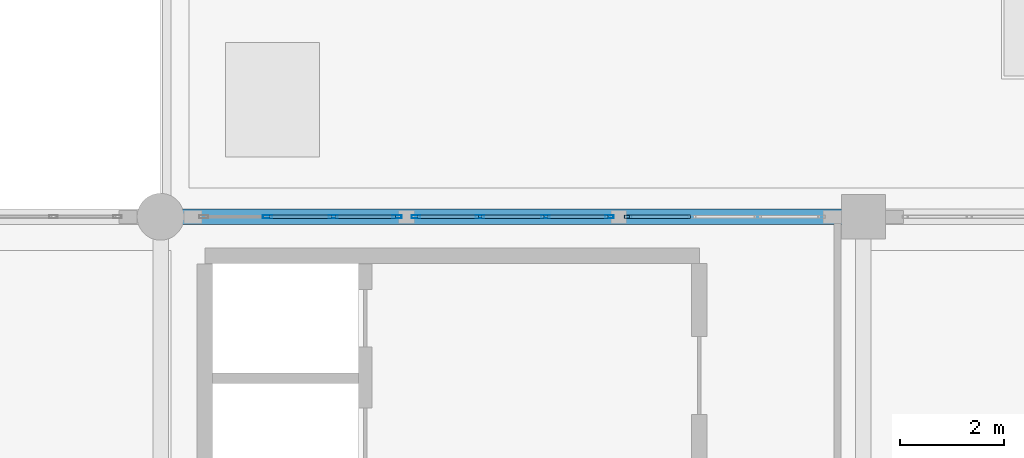
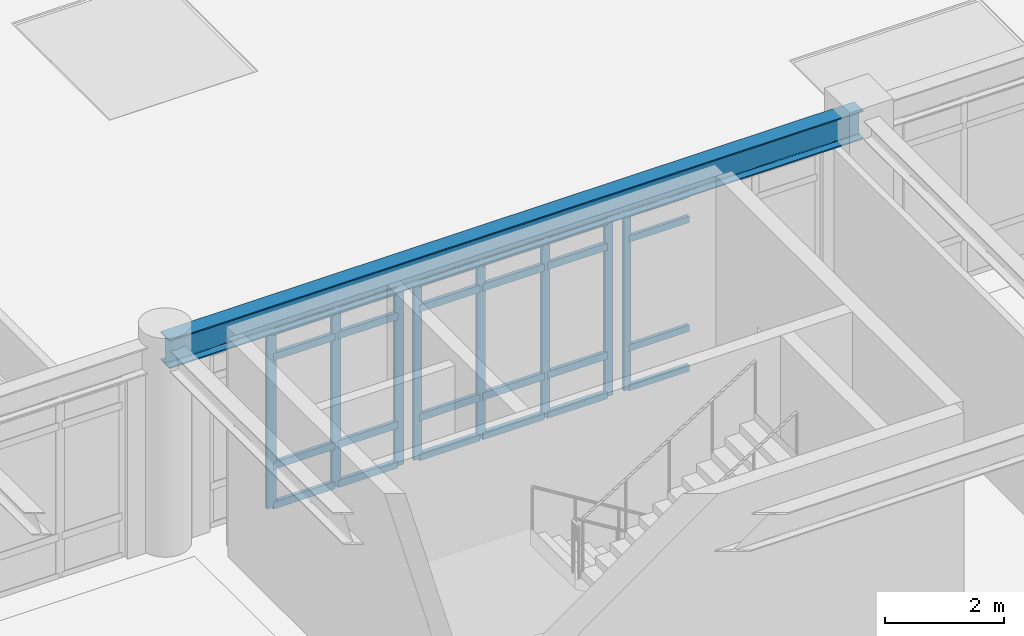
# One storey, part 18 of 55: 32 members, 1 beam, 3 elements without a shape of their own.
"""IFC4 building model written with IfcOpenShell, lengths in metres."""

from ifc_helpers import new_model, si_unit, direction, frame, origin, origin_2d, place, context, subcontext, project, spatial, hollow_rectangle, i_section, extrude, material, layer, layer_set, material_profile, profile_set, type_object, element, aggregate, save


model = new_model("IFC4")

# Units and contexts
model_context = context("Model", 3, precision=1e-05, world=origin(), true_north=direction((0.0, 1.0)))
body_context = subcontext(model_context, "Body", "Model", "MODEL_VIEW")
ifc_project = project(units=[si_unit("LENGTHUNIT", "METRE"), si_unit("AREAUNIT", "SQUARE_METRE"), si_unit("VOLUMEUNIT", "CUBIC_METRE"), si_unit("PLANEANGLEUNIT", "RADIAN"), si_unit("MASSUNIT", "GRAM", prefix="KILO")], contexts=[model_context])

# Site, building, storey
site_placement = place(None, origin())
site = spatial("IfcSite", under=ifc_project, at=site_placement, CompositionType="ELEMENT")
building_placement = place(site_placement, origin())
building = spatial("IfcBuilding", under=site, at=building_placement, Name="Fikremerkos Civic Library", CompositionType="ELEMENT")
storey_placement = place(building_placement, frame((0.0, 0.0, 18.89990234375)))
storey = spatial("IfcBuildingStorey", under=building, at=storey_placement, Name="L04", CompositionType="ELEMENT", Elevation=18.89990234375)

# Curtain wall, members
ifc_material_1 = material(Name="Anodized aluminium Frame", Category="aluminium")
ifc_layer_1 = layer(ifc_material_1, 0.159912109375, Name="Anodized aluminium Frame")
ifc_layer_set_1 = layer_set([ifc_layer_1], Name="Anodized aluminium Frame")
curtain_wall_type_1 = type_object("IfcCurtainWallType", Name="Unitised curtain wall CW-01 3600x3600", PredefinedType="USERDEFINED", material=ifc_layer_set_1)
curtain_wall_1_placement = place(storey_placement, origin())
curtain_wall_1 = element("IfcCurtainWall", 1, at=curtain_wall_1_placement, inside=storey, type_object=curtain_wall_type_1, Name="Unitised curtain wall CW-01 L04 #235", ObjectType="UNITISED CURTAIN WALL", PredefinedType="USERDEFINED")
ifc_material_profile_1 = material_profile(ifc_material_1, hollow_rectangle(XDim=0.06494140625, YDim=0.179931640625, WallThickness=0.00439453125, at=origin_2d()), Name="ALU 180x65x4.5")
ifc_profile_set_1 = profile_set([ifc_material_profile_1], Name="Anodized aluminium Frame")
member_type_1 = type_object("IfcMemberType", Name="Curtain mullion CWM-01 ALU 180x65x4.5", PredefinedType="MULLION", material=ifc_profile_set_1)
member_1_placement = place(storey_placement, frame((48.2568359375, 31.199951171875, 0.0), z_axis=(0.0, 0.0, 1.0), x_axis=(0.0, 1.0, 0.0)))
member_1 = element("IfcMember", 2, at=member_1_placement, type_object=member_type_1, Name="CW-01 mullion 2", PredefinedType="MULLION", context=body_context, shape_type="SweptSolid", body=[
    extrude(hollow_rectangle(XDim=0.06494140625, YDim=0.179931640625, WallThickness=0.00439453125, at=origin_2d()), origin(), (0.0, 0.0, 1.0), 3.64013671875),
])
member_2_placement = place(storey_placement, frame((49.515625, 31.199951171875, 0.0), z_axis=(0.0, 0.0, 1.0), x_axis=(0.0, 1.0, 0.0)))
member_2 = element("IfcMember", 3, at=member_2_placement, type_object=member_type_1, Name="CW-01 mullion 3", PredefinedType="MULLION", context=body_context, shape_type="SweptSolid", body=[
    extrude(hollow_rectangle(XDim=0.06494140625, YDim=0.179931640625, WallThickness=0.00439453125, at=origin_2d()), origin(), (0.0, 0.0, 1.0), 3.64013671875),
])
member_3_placement = place(storey_placement, frame((50.741943359375, 31.199951171875, 0.0), z_axis=(0.0, 0.0, 1.0), x_axis=(0.0, 1.0, 0.0)))
member_3 = element("IfcMember", 4, at=member_3_placement, type_object=member_type_1, Name="CW-01 mullion 4", PredefinedType="MULLION", context=body_context, shape_type="SweptSolid", body=[
    extrude(hollow_rectangle(XDim=0.06494140625, YDim=0.179931640625, WallThickness=0.00439453125, at=origin_2d()), origin(), (0.0, 0.0, 1.0), 3.64013671875),
])

ifc_layer_2 = layer(ifc_material_1, 0.159912109375, Name="Anodized aluminium Frame")
ifc_layer_set_2 = layer_set([ifc_layer_2], Name="Anodized aluminium Frame")
curtain_wall_type_2 = type_object("IfcCurtainWallType", Name="Unitised curtain wall CW-02 3900x3600", PredefinedType="USERDEFINED", material=ifc_layer_set_2)
curtain_wall_2_placement = place(storey_placement, origin())
curtain_wall_2 = element("IfcCurtainWall", 5, at=curtain_wall_2_placement, inside=storey, type_object=curtain_wall_type_2, Name="Unitised curtain wall CW-02 L04 #236", ObjectType="UNITISED CURTAIN WALL", PredefinedType="USERDEFINED")
ifc_material_profile_2 = material_profile(ifc_material_1, hollow_rectangle(XDim=0.06005859375, YDim=0.159912109375, WallThickness=0.00390625, at=origin_2d()), Name="ALU 160x60x4")
ifc_profile_set_2 = profile_set([ifc_material_profile_2], Name="Anodized aluminium Frame")
member_type_2 = type_object("IfcMemberType", Name="Curtain mullion CWM-02 ALU 160x60x4", PredefinedType="MULLION", material=ifc_profile_set_2)
member_4_placement = place(storey_placement, frame((51.104248046875, 31.199951171875, 0.0), z_axis=(0.0, 0.0, 1.0), x_axis=(0.0, 1.0, 0.0)))
member_4 = element("IfcMember", 6, at=member_4_placement, type_object=member_type_2, Name="CW-02 mullion 1", PredefinedType="MULLION", context=body_context, shape_type="SweptSolid", body=[
    extrude(hollow_rectangle(XDim=0.06005859375, YDim=0.159912109375, WallThickness=0.00390625, at=origin_2d()), origin(), (0.0, 0.0, 1.0), 3.64013671875),
])
member_5_placement = place(storey_placement, frame((52.3330078125, 31.199951171875, 0.0), z_axis=(0.0, 0.0, 1.0), x_axis=(0.0, 1.0, 0.0)))
member_5 = element("IfcMember", 7, at=member_5_placement, type_object=member_type_2, Name="CW-02 mullion 2", PredefinedType="MULLION", context=body_context, shape_type="SweptSolid", body=[
    extrude(hollow_rectangle(XDim=0.06005859375, YDim=0.159912109375, WallThickness=0.00390625, at=origin_2d()), origin(), (0.0, 0.0, 1.0), 3.64013671875),
])
member_6_placement = place(storey_placement, frame((53.591796875, 31.199951171875, 0.0), z_axis=(0.0, 0.0, 1.0), x_axis=(0.0, 1.0, 0.0)))
member_6 = element("IfcMember", 8, at=member_6_placement, type_object=member_type_2, Name="CW-02 mullion 3", PredefinedType="MULLION", context=body_context, shape_type="SweptSolid", body=[
    extrude(hollow_rectangle(XDim=0.06005859375, YDim=0.159912109375, WallThickness=0.00390625, at=origin_2d()), origin(), (0.0, 0.0, 1.0), 3.64013671875),
])
member_7_placement = place(storey_placement, frame((54.820556640625, 31.199951171875, 0.0), z_axis=(0.0, 0.0, 1.0), x_axis=(0.0, 1.0, 0.0)))
member_7 = element("IfcMember", 9, at=member_7_placement, type_object=member_type_2, Name="CW-02 mullion 4", PredefinedType="MULLION", context=body_context, shape_type="SweptSolid", body=[
    extrude(hollow_rectangle(XDim=0.06005859375, YDim=0.159912109375, WallThickness=0.00390625, at=origin_2d()), origin(), (0.0, 0.0, 1.0), 3.64013671875),
])

# Curtain wall, member
ifc_layer_3 = layer(ifc_material_1, 0.159912109375, Name="Anodized aluminium Frame")
ifc_layer_set_3 = layer_set([ifc_layer_3], Name="Anodized aluminium Frame")
curtain_wall_type_3 = type_object("IfcCurtainWallType", Name="Unitised curtain wall CW-03 4100x3600", PredefinedType="USERDEFINED", material=ifc_layer_set_3)
curtain_wall_3_placement = place(storey_placement, origin())
curtain_wall_3 = element("IfcCurtainWall", 10, at=curtain_wall_3_placement, inside=storey, type_object=curtain_wall_type_3, Name="Unitised curtain wall CW-03 L04 #237", ObjectType="UNITISED CURTAIN WALL", PredefinedType="USERDEFINED")
ifc_material_profile_3 = material_profile(ifc_material_1, hollow_rectangle(XDim=0.06005859375, YDim=0.139892578125, WallThickness=0.00390625, at=origin_2d()), Name="ALU 140x60x4")
ifc_profile_set_3 = profile_set([ifc_material_profile_3], Name="Anodized aluminium Frame")
member_type_3 = type_object("IfcMemberType", Name="Curtain mullion CWM-03 ALU 140x60x4", PredefinedType="MULLION", material=ifc_profile_set_3)
member_8_placement = place(storey_placement, frame((55.1806640625, 31.199951171875, 0.0), z_axis=(0.0, 0.0, 1.0), x_axis=(0.0, 1.0, 0.0)))
member_8 = element("IfcMember", 11, at=member_8_placement, type_object=member_type_3, Name="CW-03 mullion 1", PredefinedType="MULLION", context=body_context, shape_type="SweptSolid", body=[
    extrude(hollow_rectangle(XDim=0.06005859375, YDim=0.139892578125, WallThickness=0.00390625, at=origin_2d()), origin(), (0.0, 0.0, 1.0), 3.64013671875),
])

# Member
ifc_material_profile_4 = material_profile(ifc_material_1, hollow_rectangle(XDim=0.070068359375, YDim=0.14990234375, WallThickness=0.00439453125, at=origin_2d()), Name="ALU 150x70x4.5")
ifc_profile_set_4 = profile_set([ifc_material_profile_4], Name="Anodized aluminium Frame")
member_type_4 = type_object("IfcMemberType", Name="Curtain transom CWT-01 ALU 150x70x4.5", PredefinedType="USERDEFINED", material=ifc_profile_set_4)
member_9_placement = place(storey_placement, frame((48.289306640625, 31.199951171875, 0.03515625), z_axis=(1.0, 0.0, 0.0), x_axis=(0.0, 1.0, 0.0)))
member_9 = element("IfcMember", 12, at=member_9_placement, type_object=member_type_4, Name="CW-01 transom 2.1", ObjectType="TRANSOM", PredefinedType="USERDEFINED", context=body_context, shape_type="SweptSolid", body=[
    extrude(hollow_rectangle(XDim=0.070068359375, YDim=0.14990234375, WallThickness=0.00439453125, at=origin_2d()), origin(), (0.0, 0.0, 1.0), 1.19384765625),
])

member_10_placement = place(storey_placement, frame((48.289306640625, 31.199951171875, 0.85009765625), z_axis=(1.0, 0.0, 0.0), x_axis=(0.0, 1.0, 0.0)))
member_10 = element("IfcMember", 13, at=member_10_placement, type_object=member_type_4, Name="CW-01 transom 2.2", ObjectType="TRANSOM", PredefinedType="USERDEFINED", context=body_context, shape_type="SweptSolid", body=[
    extrude(hollow_rectangle(XDim=0.070068359375, YDim=0.14990234375, WallThickness=0.00439453125, at=origin_2d()), origin(), (0.0, 0.0, 1.0), 1.19384765625),
])

member_11_placement = place(storey_placement, frame((48.289306640625, 31.199951171875, 3.090087890625), z_axis=(1.0, 0.0, 0.0), x_axis=(0.0, 1.0, 0.0)))
member_11 = element("IfcMember", 14, at=member_11_placement, type_object=member_type_4, Name="CW-01 transom 2.3", ObjectType="TRANSOM", PredefinedType="USERDEFINED", context=body_context, shape_type="SweptSolid", body=[
    extrude(hollow_rectangle(XDim=0.070068359375, YDim=0.14990234375, WallThickness=0.00439453125, at=origin_2d()), origin(), (0.0, 0.0, 1.0), 1.19384765625),
])

member_12_placement = place(storey_placement, frame((48.289306640625, 31.199951171875, 3.60498046875), z_axis=(1.0, 0.0, 0.0), x_axis=(0.0, 1.0, 0.0)))
member_12 = element("IfcMember", 15, at=member_12_placement, type_object=member_type_4, Name="CW-01 transom 2.4", ObjectType="TRANSOM", PredefinedType="USERDEFINED", context=body_context, shape_type="SweptSolid", body=[
    extrude(hollow_rectangle(XDim=0.070068359375, YDim=0.14990234375, WallThickness=0.00439453125, at=origin_2d()), origin(), (0.0, 0.0, 1.0), 1.19384765625),
])

member_13_placement = place(storey_placement, frame((49.548095703125, 31.199951171875, 0.03515625), z_axis=(1.0, 0.0, 0.0), x_axis=(0.0, 1.0, 0.0)))
member_13 = element("IfcMember", 16, at=member_13_placement, type_object=member_type_4, Name="CW-01 transom 3.1", ObjectType="TRANSOM", PredefinedType="USERDEFINED", context=body_context, shape_type="SweptSolid", body=[
    extrude(hollow_rectangle(XDim=0.070068359375, YDim=0.14990234375, WallThickness=0.00439453125, at=origin_2d()), origin(), (0.0, 0.0, 1.0), 1.1611328125),
])

member_14_placement = place(storey_placement, frame((49.548095703125, 31.199951171875, 0.85009765625), z_axis=(1.0, 0.0, 0.0), x_axis=(0.0, 1.0, 0.0)))
member_14 = element("IfcMember", 17, at=member_14_placement, type_object=member_type_4, Name="CW-01 transom 3.2", ObjectType="TRANSOM", PredefinedType="USERDEFINED", context=body_context, shape_type="SweptSolid", body=[
    extrude(hollow_rectangle(XDim=0.070068359375, YDim=0.14990234375, WallThickness=0.00439453125, at=origin_2d()), origin(), (0.0, 0.0, 1.0), 1.1611328125),
])

member_15_placement = place(storey_placement, frame((49.548095703125, 31.199951171875, 3.090087890625), z_axis=(1.0, 0.0, 0.0), x_axis=(0.0, 1.0, 0.0)))
member_15 = element("IfcMember", 18, at=member_15_placement, type_object=member_type_4, Name="CW-01 transom 3.3", ObjectType="TRANSOM", PredefinedType="USERDEFINED", context=body_context, shape_type="SweptSolid", body=[
    extrude(hollow_rectangle(XDim=0.070068359375, YDim=0.14990234375, WallThickness=0.00439453125, at=origin_2d()), origin(), (0.0, 0.0, 1.0), 1.1611328125),
])

member_16_placement = place(storey_placement, frame((49.548095703125, 31.199951171875, 3.60498046875), z_axis=(1.0, 0.0, 0.0), x_axis=(0.0, 1.0, 0.0)))
member_16 = element("IfcMember", 19, at=member_16_placement, type_object=member_type_4, Name="CW-01 transom 3.4", ObjectType="TRANSOM", PredefinedType="USERDEFINED", context=body_context, shape_type="SweptSolid", body=[
    extrude(hollow_rectangle(XDim=0.070068359375, YDim=0.14990234375, WallThickness=0.00439453125, at=origin_2d()), origin(), (0.0, 0.0, 1.0), 1.1611328125),
])

aggregate(curtain_wall_1, [member_1, member_2, member_3, member_9, member_10, member_11, member_12, member_13, member_14, member_15, member_16])

member_17_placement = place(storey_placement, frame((51.13427734375, 31.199951171875, 0.03515625), z_axis=(1.0, 0.0, 0.0), x_axis=(0.0, 1.0, 0.0)))
member_17 = element("IfcMember", 20, at=member_17_placement, type_object=member_type_4, Name="CW-02 transom 1.1", ObjectType="TRANSOM", PredefinedType="USERDEFINED", context=body_context, shape_type="SweptSolid", body=[
    extrude(hollow_rectangle(XDim=0.070068359375, YDim=0.14990234375, WallThickness=0.00439453125, at=origin_2d()), origin(), (0.0, 0.0, 1.0), 1.1689453125),
])

member_18_placement = place(storey_placement, frame((51.13427734375, 31.199951171875, 0.85009765625), z_axis=(1.0, 0.0, 0.0), x_axis=(0.0, 1.0, 0.0)))
member_18 = element("IfcMember", 21, at=member_18_placement, type_object=member_type_4, Name="CW-02 transom 1.2", ObjectType="TRANSOM", PredefinedType="USERDEFINED", context=body_context, shape_type="SweptSolid", body=[
    extrude(hollow_rectangle(XDim=0.070068359375, YDim=0.14990234375, WallThickness=0.00439453125, at=origin_2d()), origin(), (0.0, 0.0, 1.0), 1.1689453125),
])

member_19_placement = place(storey_placement, frame((51.13427734375, 31.199951171875, 3.090087890625), z_axis=(1.0, 0.0, 0.0), x_axis=(0.0, 1.0, 0.0)))
member_19 = element("IfcMember", 22, at=member_19_placement, type_object=member_type_4, Name="CW-02 transom 1.3", ObjectType="TRANSOM", PredefinedType="USERDEFINED", context=body_context, shape_type="SweptSolid", body=[
    extrude(hollow_rectangle(XDim=0.070068359375, YDim=0.14990234375, WallThickness=0.00439453125, at=origin_2d()), origin(), (0.0, 0.0, 1.0), 1.1689453125),
])

member_20_placement = place(storey_placement, frame((51.13427734375, 31.199951171875, 3.60498046875), z_axis=(1.0, 0.0, 0.0), x_axis=(0.0, 1.0, 0.0)))
member_20 = element("IfcMember", 23, at=member_20_placement, type_object=member_type_4, Name="CW-02 transom 1.4", ObjectType="TRANSOM", PredefinedType="USERDEFINED", context=body_context, shape_type="SweptSolid", body=[
    extrude(hollow_rectangle(XDim=0.070068359375, YDim=0.14990234375, WallThickness=0.00439453125, at=origin_2d()), origin(), (0.0, 0.0, 1.0), 1.1689453125),
])

member_21_placement = place(storey_placement, frame((52.363037109375, 31.199951171875, 0.03515625), z_axis=(1.0, 0.0, 0.0), x_axis=(0.0, 1.0, 0.0)))
member_21 = element("IfcMember", 24, at=member_21_placement, type_object=member_type_4, Name="CW-02 transom 2.1", ObjectType="TRANSOM", PredefinedType="USERDEFINED", context=body_context, shape_type="SweptSolid", body=[
    extrude(hollow_rectangle(XDim=0.070068359375, YDim=0.14990234375, WallThickness=0.00439453125, at=origin_2d()), origin(), (0.0, 0.0, 1.0), 1.198974609375),
])

member_22_placement = place(storey_placement, frame((52.363037109375, 31.199951171875, 0.85009765625), z_axis=(1.0, 0.0, 0.0), x_axis=(0.0, 1.0, 0.0)))
member_22 = element("IfcMember", 25, at=member_22_placement, type_object=member_type_4, Name="CW-02 transom 2.2", ObjectType="TRANSOM", PredefinedType="USERDEFINED", context=body_context, shape_type="SweptSolid", body=[
    extrude(hollow_rectangle(XDim=0.070068359375, YDim=0.14990234375, WallThickness=0.00439453125, at=origin_2d()), origin(), (0.0, 0.0, 1.0), 1.198974609375),
])

member_23_placement = place(storey_placement, frame((52.363037109375, 31.199951171875, 3.090087890625), z_axis=(1.0, 0.0, 0.0), x_axis=(0.0, 1.0, 0.0)))
member_23 = element("IfcMember", 26, at=member_23_placement, type_object=member_type_4, Name="CW-02 transom 2.3", ObjectType="TRANSOM", PredefinedType="USERDEFINED", context=body_context, shape_type="SweptSolid", body=[
    extrude(hollow_rectangle(XDim=0.070068359375, YDim=0.14990234375, WallThickness=0.00439453125, at=origin_2d()), origin(), (0.0, 0.0, 1.0), 1.198974609375),
])

member_24_placement = place(storey_placement, frame((52.363037109375, 31.199951171875, 3.60498046875), z_axis=(1.0, 0.0, 0.0), x_axis=(0.0, 1.0, 0.0)))
member_24 = element("IfcMember", 27, at=member_24_placement, type_object=member_type_4, Name="CW-02 transom 2.4", ObjectType="TRANSOM", PredefinedType="USERDEFINED", context=body_context, shape_type="SweptSolid", body=[
    extrude(hollow_rectangle(XDim=0.070068359375, YDim=0.14990234375, WallThickness=0.00439453125, at=origin_2d()), origin(), (0.0, 0.0, 1.0), 1.198974609375),
])

member_25_placement = place(storey_placement, frame((53.621826171875, 31.199951171875, 0.03515625), z_axis=(1.0, 0.0, 0.0), x_axis=(0.0, 1.0, 0.0)))
member_25 = element("IfcMember", 28, at=member_25_placement, type_object=member_type_4, Name="CW-02 transom 3.1", ObjectType="TRANSOM", PredefinedType="USERDEFINED", context=body_context, shape_type="SweptSolid", body=[
    extrude(hollow_rectangle(XDim=0.070068359375, YDim=0.14990234375, WallThickness=0.00439453125, at=origin_2d()), origin(), (0.0, 0.0, 1.0), 1.1689453125),
])

member_26_placement = place(storey_placement, frame((53.621826171875, 31.199951171875, 0.85009765625), z_axis=(1.0, 0.0, 0.0), x_axis=(0.0, 1.0, 0.0)))
member_26 = element("IfcMember", 29, at=member_26_placement, type_object=member_type_4, Name="CW-02 transom 3.2", ObjectType="TRANSOM", PredefinedType="USERDEFINED", context=body_context, shape_type="SweptSolid", body=[
    extrude(hollow_rectangle(XDim=0.070068359375, YDim=0.14990234375, WallThickness=0.00439453125, at=origin_2d()), origin(), (0.0, 0.0, 1.0), 1.1689453125),
])

member_27_placement = place(storey_placement, frame((53.621826171875, 31.199951171875, 3.090087890625), z_axis=(1.0, 0.0, 0.0), x_axis=(0.0, 1.0, 0.0)))
member_27 = element("IfcMember", 30, at=member_27_placement, type_object=member_type_4, Name="CW-02 transom 3.3", ObjectType="TRANSOM", PredefinedType="USERDEFINED", context=body_context, shape_type="SweptSolid", body=[
    extrude(hollow_rectangle(XDim=0.070068359375, YDim=0.14990234375, WallThickness=0.00439453125, at=origin_2d()), origin(), (0.0, 0.0, 1.0), 1.1689453125),
])

member_28_placement = place(storey_placement, frame((53.621826171875, 31.199951171875, 3.60498046875), z_axis=(1.0, 0.0, 0.0), x_axis=(0.0, 1.0, 0.0)))
member_28 = element("IfcMember", 31, at=member_28_placement, type_object=member_type_4, Name="CW-02 transom 3.4", ObjectType="TRANSOM", PredefinedType="USERDEFINED", context=body_context, shape_type="SweptSolid", body=[
    extrude(hollow_rectangle(XDim=0.070068359375, YDim=0.14990234375, WallThickness=0.00439453125, at=origin_2d()), origin(), (0.0, 0.0, 1.0), 1.1689453125),
])

aggregate(curtain_wall_2, [member_4, member_5, member_6, member_7, member_17, member_18, member_19, member_20, member_21, member_22, member_23, member_24, member_25, member_26, member_27, member_28])

ifc_material_profile_5 = material_profile(ifc_material_1, hollow_rectangle(XDim=0.06494140625, YDim=0.135009765625, WallThickness=0.00439453125, at=origin_2d()), Name="ALU 135x65x4.5")
ifc_profile_set_5 = profile_set([ifc_material_profile_5], Name="Anodized aluminium Frame")
member_type_5 = type_object("IfcMemberType", Name="Curtain transom CWT-02 ALU 135x65x4.5", PredefinedType="USERDEFINED", material=ifc_profile_set_5)
member_29_placement = place(storey_placement, frame((55.210693359375, 31.199951171875, 0.03271484375), z_axis=(1.0, 0.0, 0.0), x_axis=(0.0, 1.0, 0.0)))
member_29 = element("IfcMember", 32, at=member_29_placement, type_object=member_type_5, Name="CW-03 transom 1.1", ObjectType="TRANSOM", PredefinedType="USERDEFINED", context=body_context, shape_type="SweptSolid", body=[
    extrude(hollow_rectangle(XDim=0.06494140625, YDim=0.135009765625, WallThickness=0.00439453125, at=origin_2d()), origin(), (0.0, 0.0, 1.0), 1.168701171875),
])

member_30_placement = place(storey_placement, frame((55.210693359375, 31.199951171875, 0.85009765625), z_axis=(1.0, 0.0, 0.0), x_axis=(0.0, 1.0, 0.0)))
member_30 = element("IfcMember", 33, at=member_30_placement, type_object=member_type_5, Name="CW-03 transom 1.2", ObjectType="TRANSOM", PredefinedType="USERDEFINED", context=body_context, shape_type="SweptSolid", body=[
    extrude(hollow_rectangle(XDim=0.06494140625, YDim=0.135009765625, WallThickness=0.00439453125, at=origin_2d()), origin(), (0.0, 0.0, 1.0), 1.168701171875),
])

member_31_placement = place(storey_placement, frame((55.210693359375, 31.199951171875, 3.090087890625), z_axis=(1.0, 0.0, 0.0), x_axis=(0.0, 1.0, 0.0)))
member_31 = element("IfcMember", 34, at=member_31_placement, type_object=member_type_5, Name="CW-03 transom 1.3", ObjectType="TRANSOM", PredefinedType="USERDEFINED", context=body_context, shape_type="SweptSolid", body=[
    extrude(hollow_rectangle(XDim=0.06494140625, YDim=0.135009765625, WallThickness=0.00439453125, at=origin_2d()), origin(), (0.0, 0.0, 1.0), 1.168701171875),
])

member_32_placement = place(storey_placement, frame((55.210693359375, 31.199951171875, 3.607666015625), z_axis=(1.0, 0.0, 0.0), x_axis=(0.0, 1.0, 0.0)))
member_32 = element("IfcMember", 35, at=member_32_placement, type_object=member_type_5, Name="CW-03 transom 1.4", ObjectType="TRANSOM", PredefinedType="USERDEFINED", context=body_context, shape_type="SweptSolid", body=[
    extrude(hollow_rectangle(XDim=0.06494140625, YDim=0.135009765625, WallThickness=0.00439453125, at=origin_2d()), origin(), (0.0, 0.0, 1.0), 1.168701171875),
])

aggregate(curtain_wall_3, [member_8, member_29, member_30, member_31, member_32])

# Beam
ifc_material_2 = material(Name="Steel S355", Category="steel")
ifc_material_profile_6 = material_profile(ifc_material_2, i_section(OverallWidth=0.300048828125, OverallDepth=0.590087890625, WebThickness=0.012939453125, FlangeThickness=0.02490234375, FilletRadius=0.027099609375, at=origin_2d()), Name="HEA 600")
ifc_profile_set_6 = profile_set([ifc_material_profile_6], Name="Steel S355")
beam_type = type_object("IfcBeamType", Name="Primary girder BM-15 HEA 600", PredefinedType="BEAM", material=ifc_profile_set_6)
beam_placement = place(storey_placement, frame((46.199951171875, 31.199951171875, 3.945068359375), z_axis=(1.0, 0.0, 0.0), x_axis=(0.0, 1.0, 0.0)))
element("IfcBeam", 36, at=beam_placement, inside=storey, type_object=beam_type, Name="Primary girder BM-15 L04 grid G", PredefinedType="BEAM", context=body_context, shape_type="SweptSolid", body=[
    extrude(i_section(OverallWidth=0.300048828125, OverallDepth=0.590087890625, WebThickness=0.012939453125, FlangeThickness=0.02490234375, FilletRadius=0.027099609375, at=origin_2d()), origin(), (0.0, 0.0, 1.0), 13.5),
])

save(model, "model.ifc")
